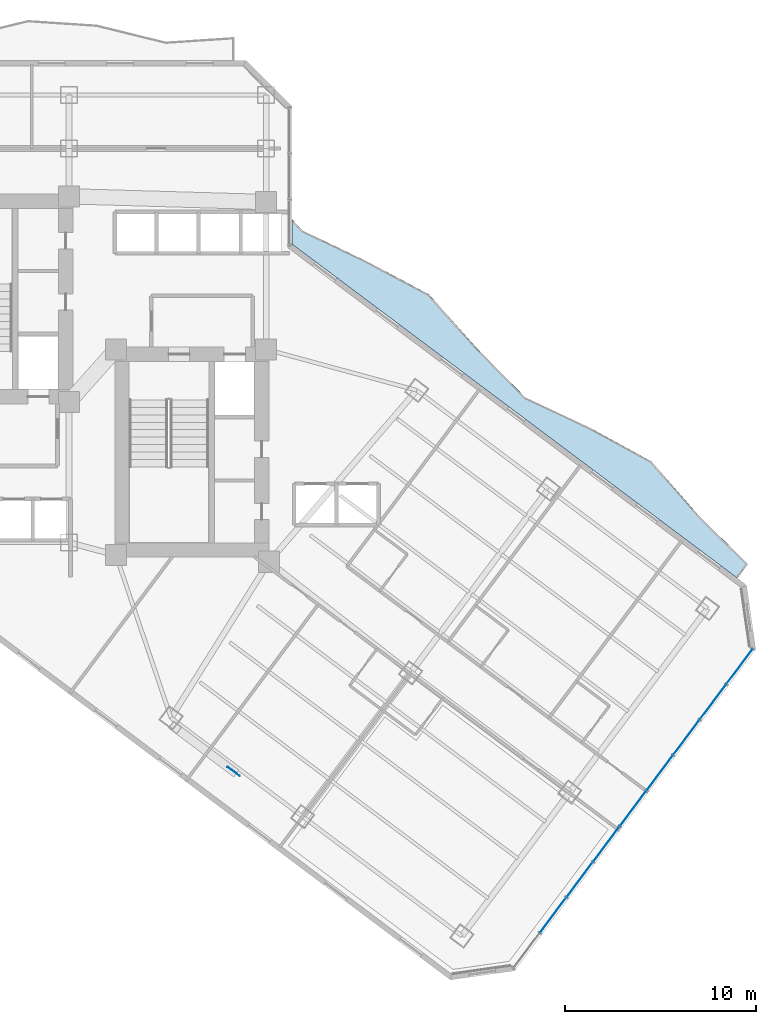
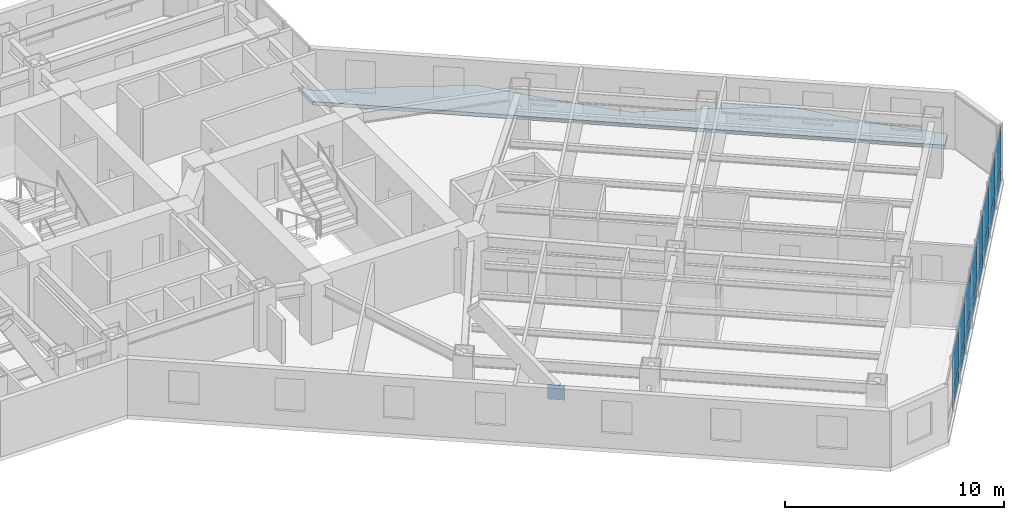
# One storey, part 22 of 31: 17 plates, 1 slab, 1 element without a shape of its own.
"""IFC4 building model written with IfcOpenShell, lengths in metres."""

import ifcopenshell
import ifcopenshell.guid

model = None  # the IFC model being written
_history = None  # IfcOwnerHistory: only IFC2X3 demands one
_inside = {}  # id of a spatial element -> (the spatial element, [elements in it])
_under = {}  # id of a project, library or spatial element -> (it, [spatial elements below it])
_declared = {}  # id of a project -> (the project, [libraries it declares])
_typed = {}  # id of a type object -> (the type object, [elements of that type])
_made_of = {}  # id of a material, layer set ... -> (it, [elements and type objects made of it])


def new_model(schema):
    """Start an empty IFC model of exactly this schema.

    Asked for "IFC4X3", IfcOpenShell would pick the latest addendum, in which some entities
    have other attributes; the version numbers below select the first issue.
    IFC2X3 requires an IfcOwnerHistory on every rooted entity: one is made here for all.
    """
    global model, _history
    if schema == "IFC4X3":
        model = ifcopenshell.file(schema_version=(4, 3, 0, 0))
    else:
        model = ifcopenshell.file(schema=schema)
    _inside.clear()
    _under.clear()
    _declared.clear()
    _typed.clear()
    _made_of.clear()
    _history = None
    if model.schema == "IFC2X3":
        org = make("IfcOrganization", Name="unknown")
        user = make(
            "IfcPersonAndOrganization",
            ThePerson=make("IfcPerson", FamilyName="unknown"),
            TheOrganization=org,
        )
        app = make(
            "IfcApplication",
            ApplicationDeveloper=org,
            Version="unknown",
            ApplicationFullName="unknown",
            ApplicationIdentifier="unknown",
        )
        _history = make(
            "IfcOwnerHistory",
            OwningUser=user,
            OwningApplication=app,
            ChangeAction="ADDED",
            CreationDate=0,
        )
    return model


def make(cls, **values):
    """One entity of the class cls with the attributes given. An attribute that is None is left unset."""
    return model.create_entity(
        cls, **{name: value for name, value in values.items() if value is not None}
    )


def rooted(cls, **values):
    """An entity with a GlobalId (a new one), such as an element, a storey or a relation."""
    return make(cls, GlobalId=ifcopenshell.guid.new(), OwnerHistory=_history, **values)


def si_unit(unit_type, name, prefix=None):
    """IfcSIUnit, for example si_unit("LENGTHUNIT", "METRE", prefix="MILLI")."""
    return make("IfcSIUnit", UnitType=unit_type, Prefix=prefix, Name=name)


def assignment(units):
    """IfcUnitAssignment: the units of a project."""
    return None if units is None else make("IfcUnitAssignment", Units=units)


def point(xyz):
    """IfcCartesianPoint."""
    return None if xyz is None else make("IfcCartesianPoint", Coordinates=xyz)


def direction(xyz):
    """IfcDirection."""
    return None if xyz is None else make("IfcDirection", DirectionRatios=xyz)


def frame(location, z_axis=None, x_axis=None):
    """IfcAxis2Placement3D, a coordinate frame: its origin and axes. An axis left out is left unset."""
    return make(
        "IfcAxis2Placement3D",
        Location=point(location),
        Axis=direction(z_axis),
        RefDirection=direction(x_axis),
    )


def frame_2d(location, x_axis=None):
    """IfcAxis2Placement2D, a coordinate frame in the plane: its origin and x axis."""
    return make(
        "IfcAxis2Placement2D", Location=point(location), RefDirection=direction(x_axis)
    )


def origin():
    """The frame at (0, 0, 0) with its axes left unset."""
    return frame((0.0, 0.0, 0.0))


def origin_2d():
    """The frame at (0, 0) in the plane with its x axis left unset."""
    return frame_2d((0.0, 0.0))


def place(relative_to, where):
    """IfcLocalPlacement: puts the frame where relative to a parent placement (None: the world)."""
    return make(
        "IfcLocalPlacement", PlacementRelTo=relative_to, RelativePlacement=where
    )


def context(
    kind, dimensions, precision=None, world=None, true_north=None, identifier=None
):
    """IfcGeometricRepresentationContext, for example the 3D "Model" context."""
    return make(
        "IfcGeometricRepresentationContext",
        ContextIdentifier=identifier,
        ContextType=kind,
        CoordinateSpaceDimension=dimensions,
        Precision=precision,
        WorldCoordinateSystem=world,
        TrueNorth=true_north,
    )


def subcontext(parent, identifier, kind, view, scale=None):
    """IfcGeometricRepresentationSubContext, for example "Body" below "Model"."""
    return make(
        "IfcGeometricRepresentationSubContext",
        ContextIdentifier=identifier,
        ContextType=kind,
        ParentContext=parent,
        TargetScale=scale,
        TargetView=view,
    )


def project(units=None, contexts=None):
    """IfcProject with its units and contexts."""
    return rooted(
        "IfcProject",
        Name="project",
        RepresentationContexts=contexts,
        UnitsInContext=assignment(units),
    )


def spatial(cls, under=None, at=None, **own):
    """A site, building, storey or space (cls), placed at a placement, below another one or the project."""
    s = rooted(cls, ObjectPlacement=at, **own)
    if under is not None:
        _under.setdefault(under.id(), (under, []))[1].append(s)
    return s


def polyline(points):
    """IfcPolyline through the points."""
    return make("IfcPolyline", Points=[point(p) for p in points])


def profile(cls, at=None, kind="AREA", **sizes):
    """A parametric profile (cls). Its sizes go by their IFC names, for example OverallWidth=200.0."""
    return make(cls, ProfileType=kind, Position=at, **sizes)


def rectangle(**sizes):
    """IfcRectangleProfileDef."""
    return profile("IfcRectangleProfileDef", **sizes)


def outline(outer, holes=None, kind="AREA"):
    """IfcArbitraryClosedProfileDef: a profile drawn as a closed curve; with holes, ...WithVoids."""
    if holes is None:
        return make("IfcArbitraryClosedProfileDef", ProfileType=kind, OuterCurve=outer)
    return make(
        "IfcArbitraryProfileDefWithVoids",
        ProfileType=kind,
        OuterCurve=outer,
        InnerCurves=holes,
    )


def extrude(swept, where, along, depth):
    """IfcExtrudedAreaSolid: the profile swept, set in the frame where, extruded along a direction by depth."""
    return make(
        "IfcExtrudedAreaSolid",
        SweptArea=swept,
        Position=where,
        ExtrudedDirection=direction(along),
        Depth=depth,
    )


def shape(context_of_items, identifier, shape_type, items):
    """IfcShapeRepresentation: the items that make up one representation, for example the "Body"."""
    return make(
        "IfcShapeRepresentation",
        ContextOfItems=context_of_items,
        RepresentationIdentifier=identifier,
        RepresentationType=shape_type,
        Items=items,
    )


def material(Name=None, Category=None):
    """IfcMaterial."""
    return make("IfcMaterial", Name=Name, Category=Category)


def layer(
    of_material, thickness, ventilated=None, Name=None, Category=None, Priority=None
):
    """IfcMaterialLayer: one layer of a wall or slab, of a material (None: an air gap)."""
    return make(
        "IfcMaterialLayer",
        Material=of_material,
        LayerThickness=thickness,
        IsVentilated=ventilated,
        Name=Name,
        Category=Category,
        Priority=Priority,
    )


def layer_set(layers, Name=None):
    """IfcMaterialLayerSet."""
    return make("IfcMaterialLayerSet", MaterialLayers=layers, LayerSetName=Name)


def made_of(thing, what):
    """Note that an element or type object is made of a material, layer set ...; save() writes the relation."""
    if what is not None:
        _made_of.setdefault(what.id(), (what, []))[1].append(thing)
    return thing


def type_object(cls, material=None, **own):
    """A type object (cls), such as IfcWallType, which elements share."""
    return made_of(rooted(cls, **own), material)


def element(
    cls,
    number,
    at=None,
    inside=None,
    cuts=None,
    type_object=None,
    material=None,
    context=None,
    identifier="Body",
    shape_type=None,
    held_by="IfcProductDefinitionShape",
    body=None,
    shapes=None,
    **own,
):
    """One element of the class cls, such as IfcWall. Its Tag is "e" and its number.

    at: its placement. inside: the storey or other place that contains it. cuts: it is an
    opening in that element (IfcRelVoidsElement). A single representation is given by context,
    identifier, shape_type and body (its items); several are given by shapes. held_by: the class
    of the entity that holds the representations. save() writes the other relations.
    """
    e = rooted(cls, Tag="e%d" % number, ObjectPlacement=at, **own)
    if body is not None:
        shapes = [shape(context, identifier, shape_type, body)]
    if shapes is not None:
        e.Representation = make(held_by, Representations=shapes)
    if inside is not None:
        _inside.setdefault(inside.id(), (inside, []))[1].append(e)
    if cuts is not None:
        rooted(
            "IfcRelVoidsElement", RelatingBuildingElement=cuts, RelatedOpeningElement=e
        )
    if type_object is not None:
        _typed.setdefault(type_object.id(), (type_object, []))[1].append(e)
    return made_of(e, material)


def aggregate(whole, parts):
    """IfcRelAggregates: a whole, such as a stair, and the parts it consists of."""
    return rooted("IfcRelAggregates", RelatingObject=whole, RelatedObjects=parts)


def save(model, path):
    """Write the relations noted so far, then the file.

    IfcRelAggregates (storeys below a building ...), IfcRelContainedInSpatialStructure (elements
    in a storey), IfcRelDefinesByType, IfcRelAssociatesMaterial and IfcRelDeclares: one each for
    every whole, place, type object, material and project.
    """
    for whole, parts in _under.values():
        aggregate(whole, parts)
    for where, things in _inside.values():
        rooted(
            "IfcRelContainedInSpatialStructure",
            RelatedElements=things,
            RelatingStructure=where,
        )
    for kind, things in _typed.values():
        rooted("IfcRelDefinesByType", RelatedObjects=things, RelatingType=kind)
    for what, things in _made_of.values():
        rooted("IfcRelAssociatesMaterial", RelatedObjects=things, RelatingMaterial=what)
    for by, libraries in _declared.values():
        rooted("IfcRelDeclares", RelatingContext=by, RelatedDefinitions=libraries)
    model.write(path)


model = new_model("IFC4")

# Units and contexts
model_context = context("Model", 3, precision=1e-05, world=origin(), true_north=direction((0.0, 1.0)))
body_context = subcontext(model_context, "Body", "Model", "MODEL_VIEW")
ifc_project = project(units=[si_unit("LENGTHUNIT", "METRE"), si_unit("AREAUNIT", "SQUARE_METRE"), si_unit("VOLUMEUNIT", "CUBIC_METRE"), si_unit("PLANEANGLEUNIT", "RADIAN"), si_unit("MASSUNIT", "GRAM", prefix="KILO")], contexts=[model_context])

# Site, building, storey
site_placement = place(None, origin())
site = spatial("IfcSite", under=ifc_project, at=site_placement, CompositionType="ELEMENT")
building_placement = place(site_placement, origin())
building = spatial("IfcBuilding", under=site, at=building_placement, Name="Hatsunagi Terrace Concourse", CompositionType="ELEMENT")
storey_placement = place(building_placement, frame((0.0, 0.0, 77.949951171875)))
storey = spatial("IfcBuildingStorey", under=building, at=storey_placement, Name="L20", CompositionType="ELEMENT", Elevation=77.949951171875)

# Curtain wall, plates
ifc_material_1 = material(Name="Anodised Aluminium Alloy 6063-T5", Category="aluminium")
ifc_layer_1 = layer(ifc_material_1, 0.199951171875)
ifc_layer_set_1 = layer_set([ifc_layer_1], Name="HotelFacade_CW02")
curtain_wall_type = type_object("IfcCurtainWallType", Name="HotelFacade_CW02", PredefinedType="NOTDEFINED", material=ifc_layer_set_1)
curtain_wall_placement = place(storey_placement, origin())
curtain_wall = element("IfcCurtainWall", 1, at=curtain_wall_placement, inside=storey, type_object=curtain_wall_type, Name="Unitised Curtain Wall CW-02 CW-L20-03", PredefinedType="NOTDEFINED")
ifc_material_2 = material(Name="Warm Terracotta Ceramic Spandrel Panel", Category="masonry")
ifc_layer_2 = layer(ifc_material_2, 0.031982421875)
ifc_layer_set_2 = layer_set([ifc_layer_2], Name="CurtainWallSpandrelPanel_32")
plate_type_1 = type_object("IfcPlateType", Name="CurtainWallSpandrelPanel_32", PredefinedType="SHEET", material=ifc_layer_set_2)
plate_1_placement = place(storey_placement, frame((68.39697265625, 18.72998046875, 0.030029296875), z_axis=(0.0, 0.0, 1.0), x_axis=(-0.599969314634, -0.800023013105, 0.0)))
plate_1 = element("IfcPlate", 2, at=plate_1_placement, type_object=plate_type_1, Name="Terracotta Spandrel Panel SPN-01", PredefinedType="SHEET", context=body_context, shape_type="SweptSolid", body=[
    extrude(rectangle(XDim=2.264892578125, YDim=0.031982421875, at=origin_2d()), origin(), (0.0, 0.0, 1.0), 0.7900390625),
])
plate_2_placement = place(storey_placement, frame((67.0048828125, 16.873046875, 0.030029296875), z_axis=(0.0, 0.0, 1.0), x_axis=(-0.599969314634, -0.800023013105, 0.0)))
plate_2 = element("IfcPlate", 3, at=plate_2_placement, type_object=plate_type_1, Name="Terracotta Spandrel Panel SPN-01", PredefinedType="SHEET", context=body_context, shape_type="SweptSolid", body=[
    extrude(rectangle(XDim=2.264892578125, YDim=0.031982421875, at=origin_2d()), origin(), (0.0, 0.0, 1.0), 0.7900390625),
])
plate_3_placement = place(storey_placement, frame((65.612060546875, 15.01708984375, 0.030029296875), z_axis=(0.0, 0.0, 1.0), x_axis=(-0.599969314634, -0.800023013105, 0.0)))
plate_3 = element("IfcPlate", 4, at=plate_3_placement, type_object=plate_type_1, Name="Terracotta Spandrel Panel SPN-01", PredefinedType="SHEET", context=body_context, shape_type="SweptSolid", body=[
    extrude(rectangle(XDim=2.264892578125, YDim=0.031982421875, at=origin_2d()), origin(), (0.0, 0.0, 1.0), 0.7900390625),
])
plate_4_placement = place(storey_placement, frame((64.219970703125, 13.159912109375, 0.030029296875), z_axis=(0.0, 0.0, 1.0), x_axis=(-0.599969314634, -0.800023013105, 0.0)))
plate_4 = element("IfcPlate", 5, at=plate_4_placement, type_object=plate_type_1, Name="Terracotta Spandrel Panel SPN-01", PredefinedType="SHEET", context=body_context, shape_type="SweptSolid", body=[
    extrude(rectangle(XDim=2.264892578125, YDim=0.031982421875, at=origin_2d()), origin(), (0.0, 0.0, 1.0), 0.7900390625),
])
plate_5_placement = place(storey_placement, frame((62.827880859375, 11.303955078125, 0.030029296875), z_axis=(0.0, 0.0, 1.0), x_axis=(-0.599969314634, -0.800023013105, 0.0)))
plate_5 = element("IfcPlate", 6, at=plate_5_placement, type_object=plate_type_1, Name="Terracotta Spandrel Panel SPN-01", PredefinedType="SHEET", context=body_context, shape_type="SweptSolid", body=[
    extrude(rectangle(XDim=2.264892578125, YDim=0.031982421875, at=origin_2d()), origin(), (0.0, 0.0, 1.0), 0.7900390625),
])
plate_6_placement = place(storey_placement, frame((61.43603515625, 9.447998046875, 0.030029296875), z_axis=(0.0, 0.0, 1.0), x_axis=(-0.599969314634, -0.800023013105, 0.0)))
plate_6 = element("IfcPlate", 7, at=plate_6_placement, type_object=plate_type_1, Name="Terracotta Spandrel Panel SPN-01", PredefinedType="SHEET", context=body_context, shape_type="SweptSolid", body=[
    extrude(rectangle(XDim=2.264892578125, YDim=0.031982421875, at=origin_2d()), origin(), (0.0, 0.0, 1.0), 0.7900390625),
])
plate_7_placement = place(storey_placement, frame((60.0439453125, 7.591064453125, 0.030029296875), z_axis=(0.0, 0.0, 1.0), x_axis=(-0.599969314634, -0.800023013105, 0.0)))
plate_7 = element("IfcPlate", 8, at=plate_7_placement, type_object=plate_type_1, Name="Terracotta Spandrel Panel SPN-01", PredefinedType="SHEET", context=body_context, shape_type="SweptSolid", body=[
    extrude(rectangle(XDim=2.264892578125, YDim=0.031982421875, at=origin_2d()), origin(), (0.0, 0.0, 1.0), 0.7900390625),
])
plate_8_placement = place(storey_placement, frame((58.65087890625, 5.735107421875, 0.030029296875), z_axis=(0.0, 0.0, 1.0), x_axis=(-0.599969314634, -0.800023013105, 0.0)))
plate_8 = element("IfcPlate", 9, at=plate_8_placement, type_object=plate_type_1, Name="Terracotta Spandrel Panel SPN-01", PredefinedType="SHEET", context=body_context, shape_type="SweptSolid", body=[
    extrude(rectangle(XDim=2.264892578125, YDim=0.031982421875, at=origin_2d()), origin(), (0.0, 0.0, 1.0), 0.7900390625),
])
ifc_material_3 = material(Name="Low-E Double Insulating Glass 28mm", Category="glass")
ifc_layer_3 = layer(ifc_material_3, 0.028076171875)
ifc_layer_set_3 = layer_set([ifc_layer_3], Name="CurtainWallVisionGlass_28")
plate_type_2 = type_object("IfcPlateType", Name="CurtainWallVisionGlass_28", PredefinedType="CURTAIN_PANEL", material=ifc_layer_set_3)
plate_9_placement = place(storey_placement, frame((68.39697265625, 18.72998046875, 0.8798828125), z_axis=(0.0, 0.0, 1.0), x_axis=(-0.599969314634, -0.800023013105, 0.0)))
plate_9 = element("IfcPlate", 10, at=plate_9_placement, type_object=plate_type_2, Name="Low-E Vision Glass Panel GLZ-01", PredefinedType="CURTAIN_PANEL", context=body_context, shape_type="SweptSolid", body=[
    extrude(rectangle(XDim=2.264892578125, YDim=0.028076171875, at=origin_2d()), origin(), (0.0, 0.0, 1.0), 2.219970703125),
])
plate_10_placement = place(storey_placement, frame((67.0048828125, 16.873046875, 0.8798828125), z_axis=(0.0, 0.0, 1.0), x_axis=(-0.599969314634, -0.800023013105, 0.0)))
plate_10 = element("IfcPlate", 11, at=plate_10_placement, type_object=plate_type_2, Name="Low-E Vision Glass Panel GLZ-01", PredefinedType="CURTAIN_PANEL", context=body_context, shape_type="SweptSolid", body=[
    extrude(rectangle(XDim=2.264892578125, YDim=0.028076171875, at=origin_2d()), origin(), (0.0, 0.0, 1.0), 2.219970703125),
])
plate_11_placement = place(storey_placement, frame((65.612060546875, 15.01708984375, 0.8798828125), z_axis=(0.0, 0.0, 1.0), x_axis=(-0.599969314634, -0.800023013105, 0.0)))
plate_11 = element("IfcPlate", 12, at=plate_11_placement, type_object=plate_type_2, Name="Low-E Vision Glass Panel GLZ-01", PredefinedType="CURTAIN_PANEL", context=body_context, shape_type="SweptSolid", body=[
    extrude(rectangle(XDim=2.264892578125, YDim=0.028076171875, at=origin_2d()), origin(), (0.0, 0.0, 1.0), 2.219970703125),
])
plate_12_placement = place(storey_placement, frame((64.219970703125, 13.159912109375, 0.8798828125), z_axis=(0.0, 0.0, 1.0), x_axis=(-0.599969314634, -0.800023013105, 0.0)))
plate_12 = element("IfcPlate", 13, at=plate_12_placement, type_object=plate_type_2, Name="Low-E Vision Glass Panel GLZ-01", PredefinedType="CURTAIN_PANEL", context=body_context, shape_type="SweptSolid", body=[
    extrude(rectangle(XDim=2.264892578125, YDim=0.028076171875, at=origin_2d()), origin(), (0.0, 0.0, 1.0), 2.219970703125),
])
plate_13_placement = place(storey_placement, frame((62.827880859375, 11.303955078125, 0.8798828125), z_axis=(0.0, 0.0, 1.0), x_axis=(-0.599969314634, -0.800023013105, 0.0)))
plate_13 = element("IfcPlate", 14, at=plate_13_placement, type_object=plate_type_2, Name="Low-E Vision Glass Panel GLZ-01", PredefinedType="CURTAIN_PANEL", context=body_context, shape_type="SweptSolid", body=[
    extrude(rectangle(XDim=2.264892578125, YDim=0.028076171875, at=origin_2d()), origin(), (0.0, 0.0, 1.0), 2.219970703125),
])
plate_14_placement = place(storey_placement, frame((61.43603515625, 9.447998046875, 0.8798828125), z_axis=(0.0, 0.0, 1.0), x_axis=(-0.599969314634, -0.800023013105, 0.0)))
plate_14 = element("IfcPlate", 15, at=plate_14_placement, type_object=plate_type_2, Name="Low-E Vision Glass Panel GLZ-01", PredefinedType="CURTAIN_PANEL", context=body_context, shape_type="SweptSolid", body=[
    extrude(rectangle(XDim=2.264892578125, YDim=0.028076171875, at=origin_2d()), origin(), (0.0, 0.0, 1.0), 2.219970703125),
])
plate_15_placement = place(storey_placement, frame((60.0439453125, 7.591064453125, 0.8798828125), z_axis=(0.0, 0.0, 1.0), x_axis=(-0.599969314634, -0.800023013105, 0.0)))
plate_15 = element("IfcPlate", 16, at=plate_15_placement, type_object=plate_type_2, Name="Low-E Vision Glass Panel GLZ-01", PredefinedType="CURTAIN_PANEL", context=body_context, shape_type="SweptSolid", body=[
    extrude(rectangle(XDim=2.264892578125, YDim=0.028076171875, at=origin_2d()), origin(), (0.0, 0.0, 1.0), 2.219970703125),
])
plate_16_placement = place(storey_placement, frame((58.65087890625, 5.735107421875, 0.8798828125), z_axis=(0.0, 0.0, 1.0), x_axis=(-0.599969314634, -0.800023013105, 0.0)))
plate_16 = element("IfcPlate", 17, at=plate_16_placement, type_object=plate_type_2, Name="Low-E Vision Glass Panel GLZ-01", PredefinedType="CURTAIN_PANEL", context=body_context, shape_type="SweptSolid", body=[
    extrude(rectangle(XDim=2.264892578125, YDim=0.028076171875, at=origin_2d()), origin(), (0.0, 0.0, 1.0), 2.219970703125),
])
aggregate(curtain_wall, [plate_1, plate_9, plate_2, plate_10, plate_3, plate_11, plate_4, plate_12, plate_5, plate_13, plate_6, plate_14, plate_7, plate_15, plate_8, plate_16])

# Slab
ifc_material_4 = material(Name="Concrete Fc42", Category="concrete")
ifc_layer_4 = layer(ifc_material_4, 0.199951171875)
ifc_layer_set_4 = layer_set([ifc_layer_4], Name="EngawaBalconySlab_Fc42_200")
slab_type = type_object("IfcSlabType", Name="EngawaBalconySlab_Fc42_200", PredefinedType="FLOOR", material=ifc_layer_set_4)
slab_placement = place(storey_placement, frame((0.0, 0.0, -0.199951171875)))
element("IfcSlab", 18, at=slab_placement, inside=storey, type_object=slab_type, Name="Engawa Balcony Slab BAL-L20-BSE", PredefinedType="FLOOR", context=body_context, shape_type="SweptSolid", body=[
    extrude(outline(polyline([(45.569091796875, 41.5029296875), (44.99609375, 42.097900390625), (44.99609375, 40.802978515625), (68.280029296875, 23.340087890625), (68.8291015625, 24.072021484375), (66.22412109375, 26.655029296875), (63.780029296875, 29.450927734375), (60.55810546875, 31.2099609375), (57.197998046875, 32.787109375), (54.6201171875, 35.405029296875), (52.156982421875, 38.176025390625), (48.908935546875, 39.89990234375), (45.569091796875, 41.5029296875)])), origin(), (0.0, 0.0, 1.0), 0.199951171875),
])

# Plate
ifc_material_5 = material(Name="Steel SN490C", Category="steel")
ifc_layer_5 = layer(ifc_material_5, 0.031982421875)
ifc_layer_set_5 = layer_set([ifc_layer_5], Name="XBraceNodeCapPlate_32")
plate_type_3 = type_object("IfcPlateType", Name="XBraceNodeCapPlate_32", PredefinedType="USERDEFINED", material=ifc_layer_set_5)
plate_17_placement = place(storey_placement, frame((41.951904296875, 13.236083984375, 1.1650390625), z_axis=(0.0, 0.0, 1.0), x_axis=(0.799999996291, -0.600000004945, 0.0)))
element("IfcPlate", 19, at=plate_17_placement, inside=storey, type_object=plate_type_3, Name="X-Brace Crossing Gusset Node Plate GP-02 XB-L19-SE", ObjectType="GUSSET_PLATE", PredefinedType="USERDEFINED", context=body_context, shape_type="SweptSolid", body=[
    extrude(rectangle(XDim=0.800048828125, YDim=0.031982421875, at=origin_2d()), origin(), (0.0, 0.0, 1.0), 0.800048828125),
])

save(model, "model.ifc")
